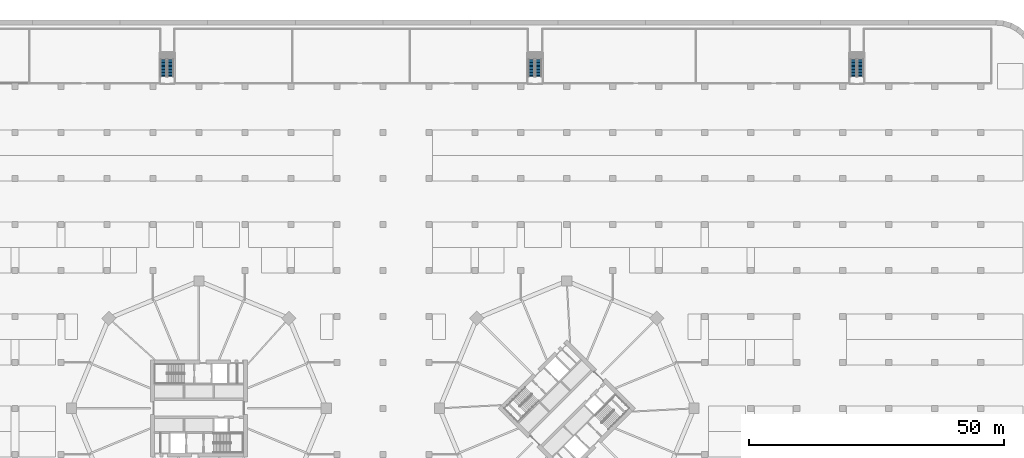
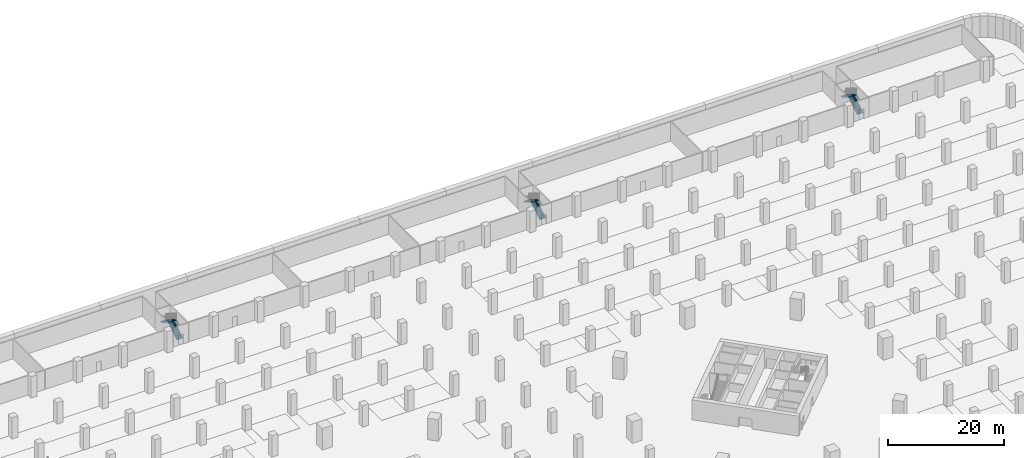
# One storey, part 20 of 34: 6 stair flights, 3 elements without a shape of their own.
"""IFC4 building model written with IfcOpenShell, lengths in metres."""

from ifc_helpers import new_model, si_unit, direction, frame, origin, place, context, subcontext, project, spatial, polyline, outline, extrude, material, type_object, element, aggregate, save


model = new_model("IFC4")

# Units and contexts
model_context = context("Model", 3, precision=1e-05, world=origin(), true_north=direction((0.0, 1.0)))
body_context = subcontext(model_context, "Body", "Model", "MODEL_VIEW")
ifc_project = project(units=[si_unit("LENGTHUNIT", "METRE"), si_unit("AREAUNIT", "SQUARE_METRE"), si_unit("VOLUMEUNIT", "CUBIC_METRE"), si_unit("PLANEANGLEUNIT", "RADIAN"), si_unit("MASSUNIT", "GRAM", prefix="KILO")], contexts=[model_context])

# Site, building, storey
site_placement = place(None, origin())
site = spatial("IfcSite", under=ifc_project, at=site_placement, CompositionType="ELEMENT")
building_placement = place(site_placement, origin())
building = spatial("IfcBuilding", under=site, at=building_placement, Name="Ogive Gate Towers", CompositionType="ELEMENT")
storey_placement = place(building_placement, frame((0.0, 0.0, -4.5)))
storey = spatial("IfcBuildingStorey", under=building, at=storey_placement, Name="B1", CompositionType="ELEMENT", Elevation=-4.5)

# Stair, stair flights
ifc_material = material(Name="Reinforced concrete C32/40", Category="concrete")
stair_type = type_object("IfcStairType", Name="Car park escape stair 173 x 280", PredefinedType="HALF_TURN_STAIR", material=ifc_material)
stair_1_placement = place(storey_placement, origin())
stair_1 = element("IfcStair", 1, at=stair_1_placement, inside=storey, type_object=stair_type, Name="B1 escape stair", PredefinedType="HALF_TURN_STAIR")
stair_flight_type = type_object("IfcStairFlightType", Name="Car park escape stair flight 173 x 280", PredefinedType="STRAIGHT", material=ifc_material)
stair_flight_1_placement = place(storey_placement, frame((-41.550048828125, 64.89990234375, 0.0), z_axis=(0.0, 0.0, 1.0), x_axis=(0.0, 1.0, 0.0)))
stair_flight_1 = element("IfcStairFlight", 2, at=stair_flight_1_placement, type_object=stair_flight_type, Name="CS2 flight 1", NumberOfRisers=13, NumberOfTreads=12, PredefinedType="STRAIGHT", RiserHeight=0.173076923, TreadLength=0.28, context=body_context, shape_type="SweptSolid", body=[
    extrude(outline(polyline([(0.0, 0.0), (0.0, 0.173095703125), (0.280029296875, 0.173095703125), (0.280029296875, 0.34619140625), (0.56005859375, 0.34619140625), (0.56005859375, 0.519287109375), (0.840087890625, 0.519287109375), (0.840087890625, 0.6923828125), (1.1201171875, 0.6923828125), (1.1201171875, 0.865478515625), (1.39990234375, 0.865478515625), (1.39990234375, 1.03857421875), (1.679931640625, 1.03857421875), (1.679931640625, 1.21142578125), (1.9599609375, 1.21142578125), (1.9599609375, 1.384521484375), (2.239990234375, 1.384521484375), (2.239990234375, 1.5576171875), (2.52001953125, 1.5576171875), (2.52001953125, 1.730712890625), (2.800048828125, 1.730712890625), (2.800048828125, 1.90380859375), (3.080078125, 1.90380859375), (3.080078125, 2.076904296875), (3.360107421875, 2.076904296875), (3.360107421875, 2.25), (3.360107421875, 1.900634765625), (0.28515625, 0.0), (0.0, 0.0)])), frame((0.0, 0.60009765625, 0.0), z_axis=(0.0, -1.0, 0.0), x_axis=(1.0, 0.0, 0.0)), (0.0, 0.0, 1.0), 1.199951171875),
])
stair_flight_2_placement = place(storey_placement, frame((-42.89990234375, 68.260009765625, 2.25), z_axis=(0.0, 0.0, 1.0), x_axis=(0.0, -1.0, 0.0)))
stair_flight_2 = element("IfcStairFlight", 3, at=stair_flight_2_placement, type_object=stair_flight_type, Name="CS2 flight 2", NumberOfRisers=13, NumberOfTreads=12, PredefinedType="STRAIGHT", RiserHeight=0.173076923, TreadLength=0.28, context=body_context, shape_type="SweptSolid", body=[
    extrude(outline(polyline([(0.0, 0.0), (0.0, 0.173095703125), (0.280029296875, 0.173095703125), (0.280029296875, 0.34619140625), (0.56005859375, 0.34619140625), (0.56005859375, 0.519287109375), (0.840087890625, 0.519287109375), (0.840087890625, 0.6923828125), (1.1201171875, 0.6923828125), (1.1201171875, 0.865478515625), (1.39990234375, 0.865478515625), (1.39990234375, 1.03857421875), (1.679931640625, 1.03857421875), (1.679931640625, 1.21142578125), (1.9599609375, 1.21142578125), (1.9599609375, 1.384521484375), (2.239990234375, 1.384521484375), (2.239990234375, 1.5576171875), (2.52001953125, 1.5576171875), (2.52001953125, 1.730712890625), (2.800048828125, 1.730712890625), (2.800048828125, 1.90380859375), (3.080078125, 1.90380859375), (3.080078125, 2.076904296875), (3.360107421875, 2.076904296875), (3.360107421875, 2.25), (3.360107421875, 1.900634765625), (0.28515625, 0.0), (0.0, 0.0)])), frame((0.0, 0.60009765625, 0.0), z_axis=(0.0, -1.0, 0.0), x_axis=(1.0, 0.0, 0.0)), (0.0, 0.0, 1.0), 1.199951171875),
])
aggregate(stair_1, [stair_flight_1, stair_flight_2])

stair_2_placement = place(storey_placement, origin())
stair_2 = element("IfcStair", 4, at=stair_2_placement, inside=storey, type_object=stair_type, Name="B1 escape stair", PredefinedType="HALF_TURN_STAIR")
stair_flight_3_placement = place(storey_placement, frame((30.449951171875, 64.89990234375, 0.0), z_axis=(0.0, 0.0, 1.0), x_axis=(0.0, 1.0, 0.0)))
stair_flight_3 = element("IfcStairFlight", 5, at=stair_flight_3_placement, type_object=stair_flight_type, Name="CS3 flight 1", NumberOfRisers=13, NumberOfTreads=12, PredefinedType="STRAIGHT", RiserHeight=0.173076923, TreadLength=0.28, context=body_context, shape_type="SweptSolid", body=[
    extrude(outline(polyline([(0.0, 0.0), (0.0, 0.173095703125), (0.280029296875, 0.173095703125), (0.280029296875, 0.34619140625), (0.56005859375, 0.34619140625), (0.56005859375, 0.519287109375), (0.840087890625, 0.519287109375), (0.840087890625, 0.6923828125), (1.1201171875, 0.6923828125), (1.1201171875, 0.865478515625), (1.39990234375, 0.865478515625), (1.39990234375, 1.03857421875), (1.679931640625, 1.03857421875), (1.679931640625, 1.21142578125), (1.9599609375, 1.21142578125), (1.9599609375, 1.384521484375), (2.239990234375, 1.384521484375), (2.239990234375, 1.5576171875), (2.52001953125, 1.5576171875), (2.52001953125, 1.730712890625), (2.800048828125, 1.730712890625), (2.800048828125, 1.90380859375), (3.080078125, 1.90380859375), (3.080078125, 2.076904296875), (3.360107421875, 2.076904296875), (3.360107421875, 2.25), (3.360107421875, 1.900634765625), (0.28515625, 0.0), (0.0, 0.0)])), frame((0.0, 0.60009765625, 0.0), z_axis=(0.0, -1.0, 0.0), x_axis=(1.0, 0.0, 0.0)), (0.0, 0.0, 1.0), 1.199951171875),
])
stair_flight_4_placement = place(storey_placement, frame((29.10009765625, 68.260009765625, 2.25), z_axis=(0.0, 0.0, 1.0), x_axis=(0.0, -1.0, 0.0)))
stair_flight_4 = element("IfcStairFlight", 6, at=stair_flight_4_placement, type_object=stair_flight_type, Name="CS3 flight 2", NumberOfRisers=13, NumberOfTreads=12, PredefinedType="STRAIGHT", RiserHeight=0.173076923, TreadLength=0.28, context=body_context, shape_type="SweptSolid", body=[
    extrude(outline(polyline([(0.0, 0.0), (0.0, 0.173095703125), (0.280029296875, 0.173095703125), (0.280029296875, 0.34619140625), (0.56005859375, 0.34619140625), (0.56005859375, 0.519287109375), (0.840087890625, 0.519287109375), (0.840087890625, 0.6923828125), (1.1201171875, 0.6923828125), (1.1201171875, 0.865478515625), (1.39990234375, 0.865478515625), (1.39990234375, 1.03857421875), (1.679931640625, 1.03857421875), (1.679931640625, 1.21142578125), (1.9599609375, 1.21142578125), (1.9599609375, 1.384521484375), (2.239990234375, 1.384521484375), (2.239990234375, 1.5576171875), (2.52001953125, 1.5576171875), (2.52001953125, 1.730712890625), (2.800048828125, 1.730712890625), (2.800048828125, 1.90380859375), (3.080078125, 1.90380859375), (3.080078125, 2.076904296875), (3.360107421875, 2.076904296875), (3.360107421875, 2.25), (3.360107421875, 1.900634765625), (0.28515625, 0.0), (0.0, 0.0)])), frame((0.0, 0.60009765625, 0.0), z_axis=(0.0, -1.0, 0.0), x_axis=(1.0, 0.0, 0.0)), (0.0, 0.0, 1.0), 1.199951171875),
])
aggregate(stair_2, [stair_flight_3, stair_flight_4])

stair_3_placement = place(storey_placement, origin())
stair_3 = element("IfcStair", 7, at=stair_3_placement, inside=storey, type_object=stair_type, Name="B1 escape stair", PredefinedType="HALF_TURN_STAIR")
stair_flight_5_placement = place(storey_placement, frame((93.449951171875, 64.89990234375, 0.0), z_axis=(0.0, 0.0, 1.0), x_axis=(0.0, 1.0, 0.0)))
stair_flight_5 = element("IfcStairFlight", 8, at=stair_flight_5_placement, type_object=stair_flight_type, Name="CS4 flight 1", NumberOfRisers=13, NumberOfTreads=12, PredefinedType="STRAIGHT", RiserHeight=0.173076923, TreadLength=0.28, context=body_context, shape_type="SweptSolid", body=[
    extrude(outline(polyline([(0.0, 0.0), (0.0, 0.173095703125), (0.280029296875, 0.173095703125), (0.280029296875, 0.34619140625), (0.56005859375, 0.34619140625), (0.56005859375, 0.519287109375), (0.840087890625, 0.519287109375), (0.840087890625, 0.6923828125), (1.1201171875, 0.6923828125), (1.1201171875, 0.865478515625), (1.39990234375, 0.865478515625), (1.39990234375, 1.03857421875), (1.679931640625, 1.03857421875), (1.679931640625, 1.21142578125), (1.9599609375, 1.21142578125), (1.9599609375, 1.384521484375), (2.239990234375, 1.384521484375), (2.239990234375, 1.5576171875), (2.52001953125, 1.5576171875), (2.52001953125, 1.730712890625), (2.800048828125, 1.730712890625), (2.800048828125, 1.90380859375), (3.080078125, 1.90380859375), (3.080078125, 2.076904296875), (3.360107421875, 2.076904296875), (3.360107421875, 2.25), (3.360107421875, 1.900634765625), (0.28515625, 0.0), (0.0, 0.0)])), frame((0.0, 0.60009765625, 0.0), z_axis=(0.0, -1.0, 0.0), x_axis=(1.0, 0.0, 0.0)), (0.0, 0.0, 1.0), 1.199951171875),
])
stair_flight_6_placement = place(storey_placement, frame((92.10009765625, 68.260009765625, 2.25), z_axis=(0.0, 0.0, 1.0), x_axis=(0.0, -1.0, 0.0)))
stair_flight_6 = element("IfcStairFlight", 9, at=stair_flight_6_placement, type_object=stair_flight_type, Name="CS4 flight 2", NumberOfRisers=13, NumberOfTreads=12, PredefinedType="STRAIGHT", RiserHeight=0.173076923, TreadLength=0.28, context=body_context, shape_type="SweptSolid", body=[
    extrude(outline(polyline([(0.0, 0.0), (0.0, 0.173095703125), (0.280029296875, 0.173095703125), (0.280029296875, 0.34619140625), (0.56005859375, 0.34619140625), (0.56005859375, 0.519287109375), (0.840087890625, 0.519287109375), (0.840087890625, 0.6923828125), (1.1201171875, 0.6923828125), (1.1201171875, 0.865478515625), (1.39990234375, 0.865478515625), (1.39990234375, 1.03857421875), (1.679931640625, 1.03857421875), (1.679931640625, 1.21142578125), (1.9599609375, 1.21142578125), (1.9599609375, 1.384521484375), (2.239990234375, 1.384521484375), (2.239990234375, 1.5576171875), (2.52001953125, 1.5576171875), (2.52001953125, 1.730712890625), (2.800048828125, 1.730712890625), (2.800048828125, 1.90380859375), (3.080078125, 1.90380859375), (3.080078125, 2.076904296875), (3.360107421875, 2.076904296875), (3.360107421875, 2.25), (3.360107421875, 1.900634765625), (0.28515625, 0.0), (0.0, 0.0)])), frame((0.0, 0.60009765625, 0.0), z_axis=(0.0, -1.0, 0.0), x_axis=(1.0, 0.0, 0.0)), (0.0, 0.0, 1.0), 1.199951171875),
])
aggregate(stair_3, [stair_flight_5, stair_flight_6])

save(model, "model.ifc")
